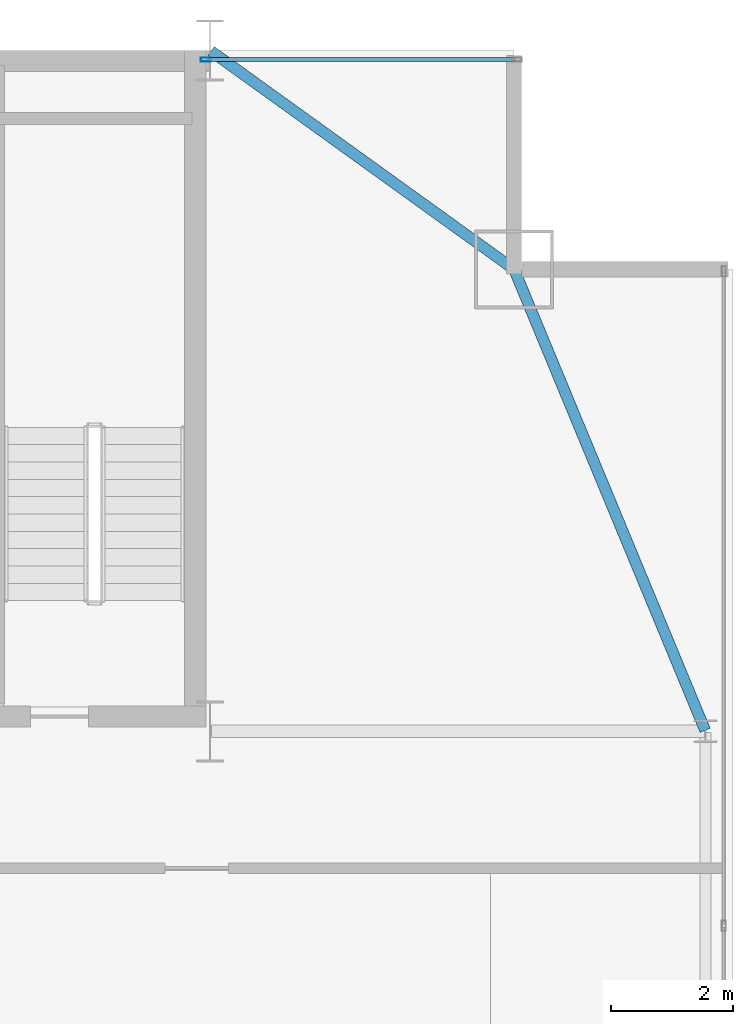
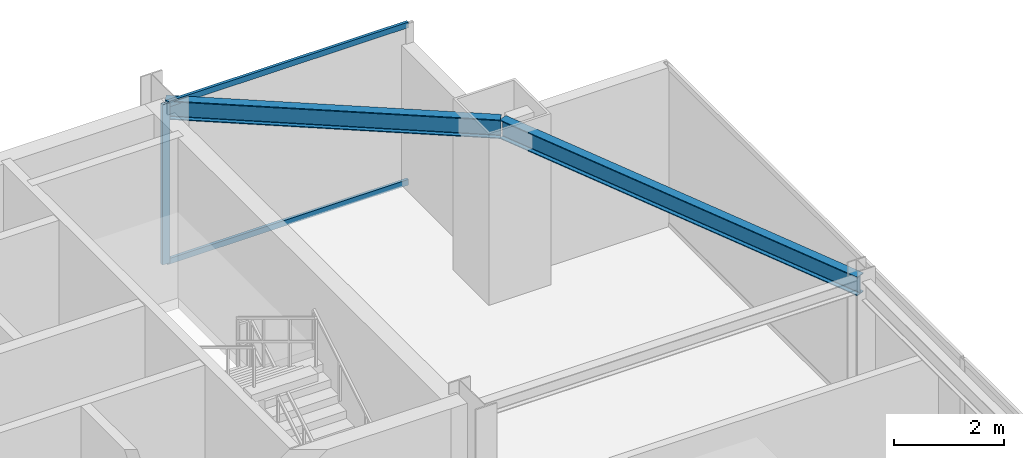
# One storey, part 21 of 31: 3 members, 2 beams, 1 element without a shape of its own.
"""IFC4 building model written with IfcOpenShell, lengths in metres."""

import ifcopenshell
import ifcopenshell.guid

model = None  # the IFC model being written
_history = None  # IfcOwnerHistory: only IFC2X3 demands one
_inside = {}  # id of a spatial element -> (the spatial element, [elements in it])
_under = {}  # id of a project, library or spatial element -> (it, [spatial elements below it])
_declared = {}  # id of a project -> (the project, [libraries it declares])
_typed = {}  # id of a type object -> (the type object, [elements of that type])
_made_of = {}  # id of a material, layer set ... -> (it, [elements and type objects made of it])


def new_model(schema):
    """Start an empty IFC model of exactly this schema.

    Asked for "IFC4X3", IfcOpenShell would pick the latest addendum, in which some entities
    have other attributes; the version numbers below select the first issue.
    IFC2X3 requires an IfcOwnerHistory on every rooted entity: one is made here for all.
    """
    global model, _history
    if schema == "IFC4X3":
        model = ifcopenshell.file(schema_version=(4, 3, 0, 0))
    else:
        model = ifcopenshell.file(schema=schema)
    _inside.clear()
    _under.clear()
    _declared.clear()
    _typed.clear()
    _made_of.clear()
    _history = None
    if model.schema == "IFC2X3":
        org = make("IfcOrganization", Name="unknown")
        user = make(
            "IfcPersonAndOrganization",
            ThePerson=make("IfcPerson", FamilyName="unknown"),
            TheOrganization=org,
        )
        app = make(
            "IfcApplication",
            ApplicationDeveloper=org,
            Version="unknown",
            ApplicationFullName="unknown",
            ApplicationIdentifier="unknown",
        )
        _history = make(
            "IfcOwnerHistory",
            OwningUser=user,
            OwningApplication=app,
            ChangeAction="ADDED",
            CreationDate=0,
        )
    return model


def make(cls, **values):
    """One entity of the class cls with the attributes given. An attribute that is None is left unset."""
    return model.create_entity(
        cls, **{name: value for name, value in values.items() if value is not None}
    )


def rooted(cls, **values):
    """An entity with a GlobalId (a new one), such as an element, a storey or a relation."""
    return make(cls, GlobalId=ifcopenshell.guid.new(), OwnerHistory=_history, **values)


def si_unit(unit_type, name, prefix=None):
    """IfcSIUnit, for example si_unit("LENGTHUNIT", "METRE", prefix="MILLI")."""
    return make("IfcSIUnit", UnitType=unit_type, Prefix=prefix, Name=name)


def assignment(units):
    """IfcUnitAssignment: the units of a project."""
    return None if units is None else make("IfcUnitAssignment", Units=units)


def point(xyz):
    """IfcCartesianPoint."""
    return None if xyz is None else make("IfcCartesianPoint", Coordinates=xyz)


def direction(xyz):
    """IfcDirection."""
    return None if xyz is None else make("IfcDirection", DirectionRatios=xyz)


def frame(location, z_axis=None, x_axis=None):
    """IfcAxis2Placement3D, a coordinate frame: its origin and axes. An axis left out is left unset."""
    return make(
        "IfcAxis2Placement3D",
        Location=point(location),
        Axis=direction(z_axis),
        RefDirection=direction(x_axis),
    )


def frame_2d(location, x_axis=None):
    """IfcAxis2Placement2D, a coordinate frame in the plane: its origin and x axis."""
    return make(
        "IfcAxis2Placement2D", Location=point(location), RefDirection=direction(x_axis)
    )


def origin():
    """The frame at (0, 0, 0) with its axes left unset."""
    return frame((0.0, 0.0, 0.0))


def origin_2d():
    """The frame at (0, 0) in the plane with its x axis left unset."""
    return frame_2d((0.0, 0.0))


def place(relative_to, where):
    """IfcLocalPlacement: puts the frame where relative to a parent placement (None: the world)."""
    return make(
        "IfcLocalPlacement", PlacementRelTo=relative_to, RelativePlacement=where
    )


def context(
    kind, dimensions, precision=None, world=None, true_north=None, identifier=None
):
    """IfcGeometricRepresentationContext, for example the 3D "Model" context."""
    return make(
        "IfcGeometricRepresentationContext",
        ContextIdentifier=identifier,
        ContextType=kind,
        CoordinateSpaceDimension=dimensions,
        Precision=precision,
        WorldCoordinateSystem=world,
        TrueNorth=true_north,
    )


def subcontext(parent, identifier, kind, view, scale=None):
    """IfcGeometricRepresentationSubContext, for example "Body" below "Model"."""
    return make(
        "IfcGeometricRepresentationSubContext",
        ContextIdentifier=identifier,
        ContextType=kind,
        ParentContext=parent,
        TargetScale=scale,
        TargetView=view,
    )


def project(units=None, contexts=None):
    """IfcProject with its units and contexts."""
    return rooted(
        "IfcProject",
        Name="project",
        RepresentationContexts=contexts,
        UnitsInContext=assignment(units),
    )


def spatial(cls, under=None, at=None, **own):
    """A site, building, storey or space (cls), placed at a placement, below another one or the project."""
    s = rooted(cls, ObjectPlacement=at, **own)
    if under is not None:
        _under.setdefault(under.id(), (under, []))[1].append(s)
    return s


def profile(cls, at=None, kind="AREA", **sizes):
    """A parametric profile (cls). Its sizes go by their IFC names, for example OverallWidth=200.0."""
    return make(cls, ProfileType=kind, Position=at, **sizes)


def hollow_rectangle(**sizes):
    """IfcRectangleHollowProfileDef."""
    return profile("IfcRectangleHollowProfileDef", **sizes)


def i_section(**sizes):
    """IfcIShapeProfileDef."""
    return profile("IfcIShapeProfileDef", **sizes)


def extrude(swept, where, along, depth):
    """IfcExtrudedAreaSolid: the profile swept, set in the frame where, extruded along a direction by depth."""
    return make(
        "IfcExtrudedAreaSolid",
        SweptArea=swept,
        Position=where,
        ExtrudedDirection=direction(along),
        Depth=depth,
    )


def shape(context_of_items, identifier, shape_type, items):
    """IfcShapeRepresentation: the items that make up one representation, for example the "Body"."""
    return make(
        "IfcShapeRepresentation",
        ContextOfItems=context_of_items,
        RepresentationIdentifier=identifier,
        RepresentationType=shape_type,
        Items=items,
    )


def source(mapping_origin, context_of_items, identifier, shape_type, items):
    """IfcRepresentationMap: a shape defined once, which mapped items show again and again."""
    return make(
        "IfcRepresentationMap",
        MappingOrigin=mapping_origin,
        MappedRepresentation=shape(context_of_items, identifier, shape_type, items),
    )


def transform(
    local_origin,
    x_axis=None,
    y_axis=None,
    z_axis=None,
    scale=None,
    scale2=None,
    scale3=None,
    uniform=True,
):
    """IfcCartesianTransformationOperator3D, or its non-uniform kind. x_axis, y_axis, z_axis: its Axis1, 2, 3."""
    if uniform:
        return make(
            "IfcCartesianTransformationOperator3D",
            Axis1=direction(x_axis),
            Axis2=direction(y_axis),
            LocalOrigin=point(local_origin),
            Scale=scale,
            Axis3=direction(z_axis),
        )
    return make(
        "IfcCartesianTransformationOperator3DnonUniform",
        Axis1=direction(x_axis),
        Axis2=direction(y_axis),
        LocalOrigin=point(local_origin),
        Scale=scale,
        Axis3=direction(z_axis),
        Scale2=scale2,
        Scale3=scale3,
    )


def mapped(mapping_source, mapping_target):
    """IfcMappedItem: shows the shape of a source again, moved by a transform."""
    return make(
        "IfcMappedItem", MappingSource=mapping_source, MappingTarget=mapping_target
    )


def material(Name=None, Category=None):
    """IfcMaterial."""
    return make("IfcMaterial", Name=Name, Category=Category)


def layer(
    of_material, thickness, ventilated=None, Name=None, Category=None, Priority=None
):
    """IfcMaterialLayer: one layer of a wall or slab, of a material (None: an air gap)."""
    return make(
        "IfcMaterialLayer",
        Material=of_material,
        LayerThickness=thickness,
        IsVentilated=ventilated,
        Name=Name,
        Category=Category,
        Priority=Priority,
    )


def layer_set(layers, Name=None):
    """IfcMaterialLayerSet."""
    return make("IfcMaterialLayerSet", MaterialLayers=layers, LayerSetName=Name)


def material_profile(
    of_material, cross_section, Name=None, Category=None, Priority=None
):
    """IfcMaterialProfile: a cross section and its material."""
    return make(
        "IfcMaterialProfile",
        Name=Name,
        Material=of_material,
        Profile=cross_section,
        Priority=Priority,
        Category=Category,
    )


def profile_set(profiles, Name=None, composite=None):
    """IfcMaterialProfileSet."""
    return make(
        "IfcMaterialProfileSet",
        Name=Name,
        MaterialProfiles=profiles,
        CompositeProfile=composite,
    )


def made_of(thing, what):
    """Note that an element or type object is made of a material, layer set ...; save() writes the relation."""
    if what is not None:
        _made_of.setdefault(what.id(), (what, []))[1].append(thing)
    return thing


def type_object(cls, material=None, **own):
    """A type object (cls), such as IfcWallType, which elements share."""
    return made_of(rooted(cls, **own), material)


def type_shapes(of_type, sources):
    """Give a type object the sources (RepresentationMaps) that its elements show as mapped items."""
    of_type.RepresentationMaps = sources


def element(
    cls,
    number,
    at=None,
    inside=None,
    cuts=None,
    type_object=None,
    material=None,
    context=None,
    identifier="Body",
    shape_type=None,
    held_by="IfcProductDefinitionShape",
    body=None,
    shapes=None,
    **own,
):
    """One element of the class cls, such as IfcWall. Its Tag is "e" and its number.

    at: its placement. inside: the storey or other place that contains it. cuts: it is an
    opening in that element (IfcRelVoidsElement). A single representation is given by context,
    identifier, shape_type and body (its items); several are given by shapes. held_by: the class
    of the entity that holds the representations. save() writes the other relations.
    """
    e = rooted(cls, Tag="e%d" % number, ObjectPlacement=at, **own)
    if body is not None:
        shapes = [shape(context, identifier, shape_type, body)]
    if shapes is not None:
        e.Representation = make(held_by, Representations=shapes)
    if inside is not None:
        _inside.setdefault(inside.id(), (inside, []))[1].append(e)
    if cuts is not None:
        rooted(
            "IfcRelVoidsElement", RelatingBuildingElement=cuts, RelatedOpeningElement=e
        )
    if type_object is not None:
        _typed.setdefault(type_object.id(), (type_object, []))[1].append(e)
    return made_of(e, material)


def aggregate(whole, parts):
    """IfcRelAggregates: a whole, such as a stair, and the parts it consists of."""
    return rooted("IfcRelAggregates", RelatingObject=whole, RelatedObjects=parts)


def save(model, path):
    """Write the relations noted so far, then the file.

    IfcRelAggregates (storeys below a building ...), IfcRelContainedInSpatialStructure (elements
    in a storey), IfcRelDefinesByType, IfcRelAssociatesMaterial and IfcRelDeclares: one each for
    every whole, place, type object, material and project.
    """
    for whole, parts in _under.values():
        aggregate(whole, parts)
    for where, things in _inside.values():
        rooted(
            "IfcRelContainedInSpatialStructure",
            RelatedElements=things,
            RelatingStructure=where,
        )
    for kind, things in _typed.values():
        rooted("IfcRelDefinesByType", RelatedObjects=things, RelatingType=kind)
    for what, things in _made_of.values():
        rooted("IfcRelAssociatesMaterial", RelatedObjects=things, RelatingMaterial=what)
    for by, libraries in _declared.values():
        rooted("IfcRelDeclares", RelatingContext=by, RelatedDefinitions=libraries)
    model.write(path)


model = new_model("IFC4")

# Units and contexts
model_context = context("Model", 3, precision=1e-05, world=origin(), true_north=direction((0.0, 1.0)))
body_context = subcontext(model_context, "Body", "Model", "MODEL_VIEW")
ifc_project = project(units=[si_unit("LENGTHUNIT", "METRE"), si_unit("AREAUNIT", "SQUARE_METRE"), si_unit("VOLUMEUNIT", "CUBIC_METRE"), si_unit("PLANEANGLEUNIT", "RADIAN"), si_unit("MASSUNIT", "GRAM", prefix="KILO")], contexts=[model_context])

# Site, building, storey
site_placement = place(None, origin())
site = spatial("IfcSite", under=ifc_project, at=site_placement, CompositionType="ELEMENT")
building_placement = place(site_placement, origin())
building = spatial("IfcBuilding", under=site, at=building_placement, Name="Varnel Quay Broadcast Tower", CompositionType="ELEMENT")
storey_placement = place(building_placement, frame((0.0, 0.0, 183.800048828125)))
storey = spatial("IfcBuildingStorey", under=building, at=storey_placement, Name="L45", CompositionType="ELEMENT", Elevation=183.800048828125)

# Beams
ifc_material_1 = material(Name="Structural Steel CSA G40.21 350W", Category="steel")
ifc_material_profile_1 = material_profile(ifc_material_1, i_section(OverallWidth=0.180908203125, OverallDepth=0.4169921875, WebThickness=0.010986328125, FlangeThickness=0.018310546875, FilletRadius=0.011962890625, at=origin_2d()), Name="W410X85")
ifc_profile_set_1 = profile_set([ifc_material_profile_1], Name="Structural Steel CSA G40.21 350W")
beam_type = type_object("IfcBeamType", Name="Beam_W410X85", PredefinedType="SPANDREL", material=ifc_profile_set_1)
shared_shape_1 = source(origin(), body_context, "Body", "SweptSolid", [
    extrude(i_section(OverallWidth=0.180908203125, OverallDepth=0.4169921875, WebThickness=0.010986328125, FlangeThickness=0.018310546875, FilletRadius=0.011962890625, at=origin_2d()), origin(), (0.0, 0.0, 1.0), 8.186767578125),
])
beam_1_placement = place(storey_placement, frame((60.542236328125, 35.618408203125, 3.341552734375), z_axis=(-0.382874132092, 0.923800519038, 0.0), x_axis=(-0.923800519038, -0.382874132092, 0.0)))
element("IfcBeam", 1, at=beam_1_placement, inside=storey, type_object=beam_type, Name="L45 East Spandrel TC-E3-MC-NE", PredefinedType="SPANDREL", context=body_context, shape_type="MappedRepresentation", body=[
    mapped(shared_shape_1, transform((0.0, 0.0, 0.0), x_axis=(1.0, 0.0, 0.0), y_axis=(0.0, 1.0, 0.0), z_axis=(0.0, 0.0, 1.0), scale=1.0)),
])
shared_shape_2 = source(origin(), body_context, "Body", "SweptSolid", [
    extrude(i_section(OverallWidth=0.180908203125, OverallDepth=0.4169921875, WebThickness=0.010986328125, FlangeThickness=0.018310546875, FilletRadius=0.011962890625, at=origin_2d()), origin(), (0.0, 0.0, 1.0), 6.12109375),
])
type_shapes(beam_type, [shared_shape_1, shared_shape_2])
beam_2_placement = place(storey_placement, frame((52.416259765625, 46.788330078125, 3.341552734375), z_axis=(0.811531315425, -0.584308928637, 0.0), x_axis=(0.584308928637, 0.811531315425, 0.0)))
element("IfcBeam", 2, at=beam_2_placement, inside=storey, type_object=beam_type, Name="L45 NE Tie Spandrel", PredefinedType="SPANDREL", context=body_context, shape_type="MappedRepresentation", body=[
    mapped(shared_shape_2, transform((0.0, 0.0, 0.0), x_axis=(1.0, 0.0, 0.0), y_axis=(0.0, 1.0, 0.0), z_axis=(0.0, 0.0, 1.0), scale=1.0)),
])

# Curtain wall, members
ifc_material_2 = material(Name="Anodised Bronze Aluminium 6063-T6", Category="aluminium")
ifc_layer = layer(ifc_material_2, 0.18994140625, Name="Anodised Bronze Aluminium 6063-T6")
ifc_layer_set = layer_set([ifc_layer], Name="Anodised Bronze Aluminium 6063-T6")
curtain_wall_type = type_object("IfcCurtainWallType", Name="CW_UpperTower", PredefinedType="NOTDEFINED", material=ifc_layer_set)
curtain_wall_placement = place(storey_placement, origin())
curtain_wall = element("IfcCurtainWall", 3, at=curtain_wall_placement, inside=storey, type_object=curtain_wall_type, Name="L45 NE Wing Curtain Wall", PredefinedType="NOTDEFINED")
ifc_material_profile_2 = material_profile(ifc_material_2, hollow_rectangle(XDim=0.06494140625, YDim=0.1650390625, WallThickness=0.00341796875, at=origin_2d()), Name="ALU65X165X3.5")
ifc_profile_set_2 = profile_set([ifc_material_profile_2], Name="Anodised Bronze Aluminium 6063-T6")
member_type_1 = type_object("IfcMemberType", Name="Mull_CWS-03", PredefinedType="MULLION", material=ifc_profile_set_2)
shared_shape_3 = source(origin(), body_context, "Body", "SweptSolid", [
    extrude(hollow_rectangle(XDim=0.06494140625, YDim=0.1650390625, WallThickness=0.00341796875, at=origin_2d()), origin(), (0.0, 0.0, 1.0), 3.550048828125),
])
type_shapes(member_type_1, [shared_shape_3])
member_1_placement = place(storey_placement, frame((52.33251953125, 46.64990234375, 0.0), z_axis=(0.0, 0.0, 1.0), x_axis=(0.0, 1.0, 0.0)))
member_1 = element("IfcMember", 4, at=member_1_placement, type_object=member_type_1, Name="CWS-03 mullion 1", PredefinedType="MULLION", context=body_context, shape_type="MappedRepresentation", body=[
    mapped(shared_shape_3, transform((0.0, 0.0, 0.0), x_axis=(1.0, 0.0, 0.0), y_axis=(0.0, 1.0, 0.0), z_axis=(0.0, 0.0, 1.0), scale=1.0)),
])
ifc_material_profile_3 = material_profile(ifc_material_2, hollow_rectangle(XDim=0.06005859375, YDim=0.125, WallThickness=0.0029296875, at=origin_2d()), Name="ALU60X125X3")
ifc_profile_set_3 = profile_set([ifc_material_profile_3], Name="Anodised Bronze Aluminium 6063-T6")
member_type_2 = type_object("IfcMemberType", Name="Tran_CWS-03", PredefinedType="USERDEFINED", material=ifc_profile_set_3)
shared_shape_4 = source(origin(), body_context, "Body", "SweptSolid", [
    extrude(hollow_rectangle(XDim=0.06005859375, YDim=0.125, WallThickness=0.0029296875, at=origin_2d()), origin(), (0.0, 0.0, 1.0), 5.050048828125),
])
type_shapes(member_type_2, [shared_shape_4])
member_2_placement = place(storey_placement, frame((52.364990234375, 46.64990234375, 0.030029296875), z_axis=(1.0, 0.0, 0.0), x_axis=(0.0, 1.0, 0.0)))
member_2 = element("IfcMember", 5, at=member_2_placement, type_object=member_type_2, Name="CWS-03 transom 1.1", ObjectType="TRANSOM", PredefinedType="USERDEFINED", context=body_context, shape_type="MappedRepresentation", body=[
    mapped(shared_shape_4, transform((0.0, 0.0, 0.0), x_axis=(1.0, 0.0, 0.0), y_axis=(0.0, 1.0, 0.0), z_axis=(0.0, 0.0, 1.0), scale=1.0)),
])
member_3_placement = place(storey_placement, frame((52.364990234375, 46.64990234375, 3.52001953125), z_axis=(1.0, 0.0, 0.0), x_axis=(0.0, 1.0, 0.0)))
member_3 = element("IfcMember", 6, at=member_3_placement, type_object=member_type_2, Name="CWS-03 transom 1.2", ObjectType="TRANSOM", PredefinedType="USERDEFINED", context=body_context, shape_type="MappedRepresentation", body=[
    mapped(shared_shape_4, transform((0.0, 0.0, 0.0), x_axis=(1.0, 0.0, 0.0), y_axis=(0.0, 1.0, 0.0), z_axis=(0.0, 0.0, 1.0), scale=1.0)),
])
aggregate(curtain_wall, [member_1, member_2, member_3])

save(model, "model.ifc")
